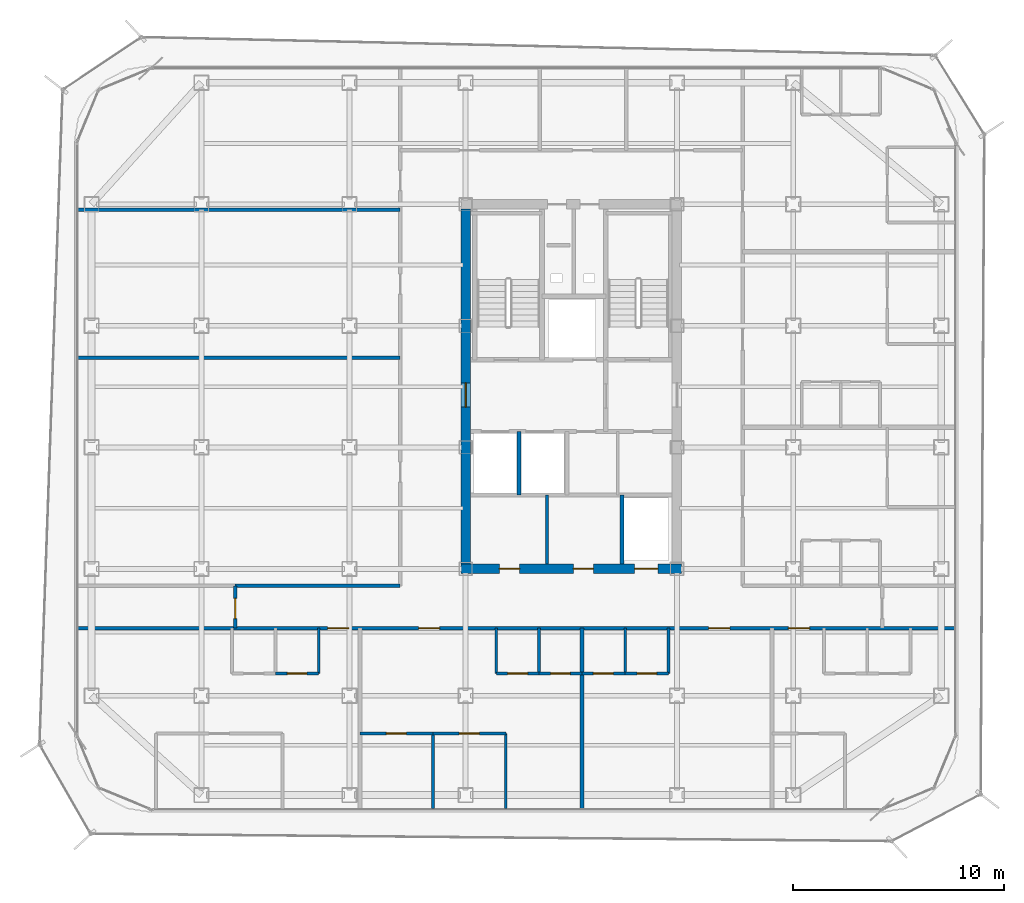
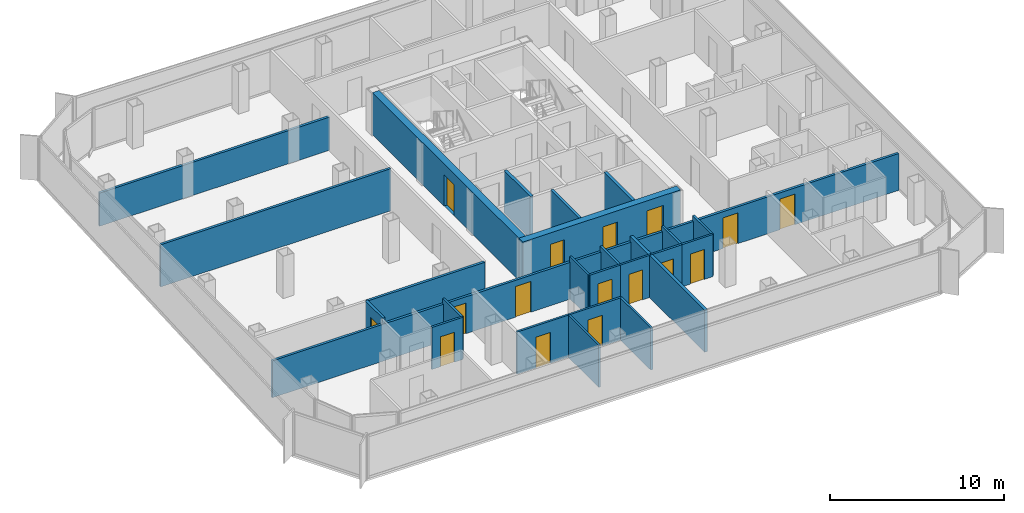
# One storey, part 10 of 16: 25 walls, 16 doors, 16 openings.
"""IFC4 building model written with IfcOpenShell, lengths in metres."""

from ifc_helpers import new_model, si_unit, direction, frame, frame_2d, origin, place, context, subcontext, project, spatial, rectangle, extrude, material, layer, layer_set, type_object, element, fill, save


model = new_model("IFC4")

# Units and contexts
model_context = context("Model", 3, precision=1e-05, world=origin(), true_north=direction((0.0, 1.0)))
body_context = subcontext(model_context, "Body", "Model", "MODEL_VIEW")
ifc_project = project(units=[si_unit("LENGTHUNIT", "METRE"), si_unit("AREAUNIT", "SQUARE_METRE"), si_unit("VOLUMEUNIT", "CUBIC_METRE"), si_unit("PLANEANGLEUNIT", "RADIAN"), si_unit("MASSUNIT", "GRAM", prefix="KILO")], contexts=[model_context])

# Site, building, storey
site_placement = place(None, origin())
site = spatial("IfcSite", under=ifc_project, at=site_placement, CompositionType="ELEMENT")
building_placement = place(site_placement, origin())
building = spatial("IfcBuilding", under=site, at=building_placement, Name="Kolveth Station Tower", CompositionType="ELEMENT")
storey_placement = place(building_placement, frame((0.0, 0.0, 178.5)))
storey = spatial("IfcBuildingStorey", under=building, at=storey_placement, Name="L50", CompositionType="ELEMENT", Elevation=178.5)

# Wall, openings, doors
ifc_material_1 = material(Name="Concrete C50/60", Category="concrete")
ifc_layer_1 = layer(ifc_material_1, 0.449951171875)
ifc_layer_set_1 = layer_set([ifc_layer_1], Name="Concrete C50/60")
wall_type_1 = type_object("IfcWallType", Name="Wall_CW-450", PredefinedType="SHEAR", material=ifc_layer_set_1)
wall_1_placement = place(storey_placement, frame((18.27490234375, 11.5, 0.0), z_axis=(0.0, 0.0, 1.0), x_axis=(1.0, 0.0, 0.0)))
wall_1 = element("IfcWall", 1, at=wall_1_placement, inside=storey, type_object=wall_type_1, Name="L50 Core RC Shear Wall S", PredefinedType="SHEAR", context=body_context, shape_type="SweptSolid", body=[
    extrude(rectangle(XDim=10.4501953125, YDim=0.449951171875, at=frame_2d((5.22509765625, 0.0))), origin(), (0.0, 0.0, 1.0), 2.949951171875),
])
opening_1_placement = place(wall_1_placement, frame((1.824951171875, 0.0, 0.0)))
opening_1 = element("IfcOpeningElement", 2, at=opening_1_placement, cuts=wall_1, Name="Opening ID1", PredefinedType="OPENING", context=body_context, shape_type="SweptSolid", body=[
    extrude(rectangle(XDim=0.949951171875, YDim=2.14990234375, at=frame_2d((0.47509765625, 1.074951171875))), frame((0.0, 0.23486328125, 0.0), z_axis=(0.0, -1.0, 0.0), x_axis=(1.0, 0.0, 0.0)), (0.0, 0.0, 1.0), 0.469970703125),
])
opening_2_placement = place(wall_1_placement, frame((5.324951171875, 0.0, 0.0)))
opening_2 = element("IfcOpeningElement", 3, at=opening_2_placement, cuts=wall_1, Name="Opening ID1", PredefinedType="OPENING", context=body_context, shape_type="SweptSolid", body=[
    extrude(rectangle(XDim=0.949951171875, YDim=2.14990234375, at=frame_2d((0.47509765625, 1.074951171875))), frame((0.0, 0.23486328125, 0.0), z_axis=(0.0, -1.0, 0.0), x_axis=(1.0, 0.0, 0.0)), (0.0, 0.0, 1.0), 0.469970703125),
])
opening_3_placement = place(wall_1_placement, frame((8.22509765625, 0.0, 0.0)))
opening_3 = element("IfcOpeningElement", 4, at=opening_3_placement, cuts=wall_1, Name="Opening LD1", PredefinedType="OPENING", context=body_context, shape_type="SweptSolid", body=[
    extrude(rectangle(XDim=1.10009765625, YDim=2.25, at=frame_2d((0.550048828125, 1.125))), frame((0.0, 0.23486328125, 0.0), z_axis=(0.0, -1.0, 0.0), x_axis=(1.0, 0.0, 0.0)), (0.0, 0.0, 1.0), 0.469970703125),
])
ifc_material_2 = material(Name="Acoustic hardwood leaf and aluminium frame", Category="wood")
door_type_1 = type_object("IfcDoorType", Name="Door_ID1", OperationType="NOTDEFINED", PredefinedType="DOOR", material=ifc_material_2)
door_1_placement = place(opening_1_placement, frame((0.949951171875, 0.0, 0.0), z_axis=(0.0, 0.0, 1.0), x_axis=(-1.0, 0.0, 0.0)))
door_1 = element("IfcDoor", 5, at=door_1_placement, inside=storey, type_object=door_type_1, Name="L50 Laundry Room Door", OperationType="SINGLE_SWING_LEFT", OverallHeight=2.14990234375, OverallWidth=0.949951171875, PredefinedType="DOOR", context=body_context, shape_type="SweptSolid", body=[
    extrude(rectangle(XDim=0.949951171875, YDim=2.14990234375, at=frame_2d((0.47509765625, 1.074951171875))), frame((0.0, 0.02490234375, 0.0), z_axis=(0.0, -1.0, 0.0), x_axis=(1.0, 0.0, 0.0)), (0.0, 0.0, 1.0), 0.050048828125),
])
fill(opening_1, door_1)
door_2_placement = place(opening_2_placement, frame((0.949951171875, 0.0, 0.0), z_axis=(0.0, 0.0, 1.0), x_axis=(-1.0, 0.0, 0.0)))
door_2 = element("IfcDoor", 6, at=door_2_placement, inside=storey, type_object=door_type_1, Name="L50 Parcel Room Door", OperationType="SINGLE_SWING_RIGHT", OverallHeight=2.14990234375, OverallWidth=0.949951171875, PredefinedType="DOOR", context=body_context, shape_type="SweptSolid", body=[
    extrude(rectangle(XDim=0.949951171875, YDim=2.14990234375, at=frame_2d((0.47509765625, 1.074951171875))), frame((0.0, 0.02490234375, 0.0), z_axis=(0.0, -1.0, 0.0), x_axis=(1.0, 0.0, 0.0)), (0.0, 0.0, 1.0), 0.050048828125),
])
fill(opening_2, door_2)
ifc_material_3 = material(Name="Brushed stainless steel sliding landing doors", Category="steel")
door_type_2 = type_object("IfcDoorType", Name="Door_LD1", OperationType="NOTDEFINED", PredefinedType="DOOR", material=ifc_material_3)
door_3_placement = place(opening_3_placement, frame((1.10009765625, 0.0, 0.0), z_axis=(0.0, 0.0, 1.0), x_axis=(-1.0, 0.0, 0.0)))
door_3 = element("IfcDoor", 7, at=door_3_placement, inside=storey, type_object=door_type_2, Name="L50 Lift PH1 Landing Door", OperationType="DOUBLE_DOOR_SLIDING", OverallHeight=2.25, OverallWidth=1.10009765625, PredefinedType="DOOR", context=body_context, shape_type="SweptSolid", body=[
    extrude(rectangle(XDim=1.10009765625, YDim=2.25, at=frame_2d((0.550048828125, 1.125))), frame((0.0, 0.02490234375, 0.0), z_axis=(0.0, -1.0, 0.0), x_axis=(1.0, 0.0, 0.0)), (0.0, 0.0, 1.0), 0.050048828125),
])
fill(opening_3, door_3)

# Wall, opening, door
wall_2_placement = place(storey_placement, frame((18.5, 11.72509765625, 0.0), z_axis=(0.0, 0.0, 1.0), x_axis=(0.0, 1.0, 0.0)))
wall_2 = element("IfcWall", 8, at=wall_2_placement, inside=storey, type_object=wall_type_1, Name="L50 Core RC Shear Wall W", PredefinedType="SHEAR", context=body_context, shape_type="SweptSolid", body=[
    extrude(rectangle(XDim=16.7998046875, YDim=0.449951171875, at=frame_2d((8.39990234375, 0.0))), origin(), (0.0, 0.0, 1.0), 2.949951171875),
])
opening_4_placement = place(wall_2_placement, frame((7.425048828125, 0.0, 0.0)))
opening_4 = element("IfcOpeningElement", 9, at=opening_4_placement, cuts=wall_2, Name="Opening FD1", PredefinedType="OPENING", context=body_context, shape_type="SweptSolid", body=[
    extrude(rectangle(XDim=1.14990234375, YDim=2.199951171875, at=frame_2d((0.574951171875, 1.10009765625))), frame((0.0, 0.23486328125, 0.0), z_axis=(0.0, -1.0, 0.0), x_axis=(1.0, 0.0, 0.0)), (0.0, 0.0, 1.0), 0.469970703125),
])
ifc_material_4 = material(Name="Fire-rated Steel S355 leaf and frame", Category="steel")
door_type_3 = type_object("IfcDoorType", Name="Door_FD1", OperationType="NOTDEFINED", PredefinedType="DOOR", material=ifc_material_4)
door_4_placement = place(opening_4_placement, frame((1.14990234375, 0.0, 0.0), z_axis=(0.0, 0.0, 1.0), x_axis=(-1.0, 0.0, 0.0)))
door_4 = element("IfcDoor", 10, at=door_4_placement, inside=storey, type_object=door_type_3, Name="L50 West Corridor to Firefighting Lobby Door", OperationType="SINGLE_SWING_LEFT", OverallHeight=2.199951171875, OverallWidth=1.14990234375, PredefinedType="DOOR", context=body_context, shape_type="SweptSolid", body=[
    extrude(rectangle(XDim=1.14990234375, YDim=2.199951171875, at=frame_2d((0.574951171875, 1.10009765625))), frame((0.0, 0.02490234375, 0.0), z_axis=(0.0, -1.0, 0.0), x_axis=(1.0, 0.0, 0.0)), (0.0, 0.0, 1.0), 0.050048828125),
])
fill(opening_4, door_4)

ifc_material_5 = material(Name="Moisture-resistant gypsum partition")
ifc_layer_2 = layer(ifc_material_5, 0.135009765625)
ifc_layer_set_2 = layer_set([ifc_layer_2], Name="Moisture-resistant gypsum partition")
wall_type_2 = type_object("IfcWallType", Name="Wall_IW-135", PredefinedType="PARTITIONING", material=ifc_layer_set_2)
wall_3_placement = place(storey_placement, frame((9.5, 6.550048828125, 0.0), z_axis=(0.0, 0.0, 1.0), x_axis=(1.0, 0.0, 0.0)))
wall_3 = element("IfcWall", 11, at=wall_3_placement, inside=storey, type_object=wall_type_2, Name="L50 Partition Wall WL-L50-A1-IBHB", PredefinedType="PARTITIONING", context=body_context, shape_type="SweptSolid", body=[
    extrude(rectangle(XDim=2.050048828125, YDim=0.135009765625, at=frame_2d((1.02490234375, 0.0))), origin(), (0.0, 0.0, 1.0), 2.949951171875),
])
opening_5_placement = place(wall_3_placement, frame((0.56494140625, 0.0, 0.0)))
opening_5 = element("IfcOpeningElement", 12, at=opening_5_placement, cuts=wall_3, Name="Opening ID2", PredefinedType="OPENING", context=body_context, shape_type="SweptSolid", body=[
    extrude(rectangle(XDim=0.919921875, YDim=2.10009765625, at=frame_2d((0.4599609375, 1.050048828125))), frame((0.0, 0.077392578125, 0.0), z_axis=(0.0, -1.0, 0.0), x_axis=(1.0, 0.0, 0.0)), (0.0, 0.0, 1.0), 0.155029296875),
])
ifc_material_6 = material(Name="Moisture-resistant hardwood leaf", Category="wood")
door_type_4 = type_object("IfcDoorType", Name="Door_ID2", OperationType="NOTDEFINED", PredefinedType="DOOR", material=ifc_material_6)
door_5_placement = place(opening_5_placement, origin())
door_5 = element("IfcDoor", 13, at=door_5_placement, inside=storey, type_object=door_type_4, Name="Penthouse Flat L50-A1 Bathroom Door", OperationType="SINGLE_SWING_RIGHT", OverallHeight=2.10009765625, OverallWidth=0.919921875, PredefinedType="DOOR", context=body_context, shape_type="SweptSolid", body=[
    extrude(rectangle(XDim=0.919921875, YDim=2.10009765625, at=frame_2d((0.4599609375, 1.050048828125))), frame((0.0, 0.02490234375, 0.0), z_axis=(0.0, -1.0, 0.0), x_axis=(1.0, 0.0, 0.0)), (0.0, 0.0, 1.0), 0.050048828125),
])
fill(opening_5, door_5)

# Wall
wall_4_placement = place(storey_placement, frame((11.550048828125, 6.550048828125, 0.0), z_axis=(0.0, 0.0, 1.0), x_axis=(0.0, 1.0, 0.0)))
element("IfcWall", 14, at=wall_4_placement, inside=storey, type_object=wall_type_2, Name="L50 Partition Wall WL-L50-A1-IBV2", PredefinedType="PARTITIONING", context=body_context, shape_type="SweptSolid", body=[
    extrude(rectangle(XDim=2.14990234375, YDim=0.135009765625, at=frame_2d((1.074951171875, 0.0))), origin(), (0.0, 0.0, 1.0), 2.949951171875),
])

# Wall, opening, door
wall_5_placement = place(storey_placement, frame((19.949951171875, 6.550048828125, 0.0), z_axis=(0.0, 0.0, 1.0), x_axis=(1.0, 0.0, 0.0)))
wall_5 = element("IfcWall", 15, at=wall_5_placement, inside=storey, type_object=wall_type_2, Name="L50 Partition Wall WL-L50-A2-IBHK", PredefinedType="PARTITIONING", context=body_context, shape_type="SweptSolid", body=[
    extrude(rectangle(XDim=2.025146484375, YDim=0.135009765625, at=frame_2d((1.0126953125, 0.0))), origin(), (0.0, 0.0, 1.0), 2.949951171875),
])
opening_6_placement = place(wall_5_placement, frame((0.531982421875, 0.0, 0.0)))
opening_6 = element("IfcOpeningElement", 16, at=opening_6_placement, cuts=wall_5, Name="Opening ID1", PredefinedType="OPENING", context=body_context, shape_type="SweptSolid", body=[
    extrude(rectangle(XDim=0.949951171875, YDim=2.14990234375, at=frame_2d((0.47509765625, 1.074951171875))), frame((0.0, 0.077392578125, 0.0), z_axis=(0.0, -1.0, 0.0), x_axis=(1.0, 0.0, 0.0)), (0.0, 0.0, 1.0), 0.155029296875),
])
door_6_placement = place(opening_6_placement, origin())
door_6 = element("IfcDoor", 17, at=door_6_placement, inside=storey, type_object=door_type_1, Name="Flat L50-A2 Kitchen Door", OperationType="SINGLE_SWING_LEFT", OverallHeight=2.14990234375, OverallWidth=0.949951171875, PredefinedType="DOOR", context=body_context, shape_type="SweptSolid", body=[
    extrude(rectangle(XDim=0.949951171875, YDim=2.14990234375, at=frame_2d((0.47509765625, 1.074951171875))), frame((0.0, 0.02490234375, 0.0), z_axis=(0.0, -1.0, 0.0), x_axis=(1.0, 0.0, 0.0)), (0.0, 0.0, 1.0), 0.050048828125),
])
fill(opening_6, door_6)

wall_6_placement = place(storey_placement, frame((21.97509765625, 6.550048828125, 0.0), z_axis=(0.0, 0.0, 1.0), x_axis=(1.0, 0.0, 0.0)))
wall_6 = element("IfcWall", 18, at=wall_6_placement, inside=storey, type_object=wall_type_2, Name="L50 Partition Wall WL-L50-A2-IBHB", PredefinedType="PARTITIONING", context=body_context, shape_type="SweptSolid", body=[
    extrude(rectangle(XDim=2.02490234375, YDim=0.135009765625, at=frame_2d((1.012451171875, 0.0))), origin(), (0.0, 0.0, 1.0), 2.949951171875),
])
opening_7_placement = place(wall_6_placement, frame((0.552001953125, 0.0, 0.0)))
opening_7 = element("IfcOpeningElement", 19, at=opening_7_placement, cuts=wall_6, Name="Opening ID2", PredefinedType="OPENING", context=body_context, shape_type="SweptSolid", body=[
    extrude(rectangle(XDim=0.919921875, YDim=2.10009765625, at=frame_2d((0.4599609375, 1.050048828125))), frame((0.0, 0.077392578125, 0.0), z_axis=(0.0, -1.0, 0.0), x_axis=(1.0, 0.0, 0.0)), (0.0, 0.0, 1.0), 0.155029296875),
])
door_7_placement = place(opening_7_placement, origin())
door_7 = element("IfcDoor", 20, at=door_7_placement, inside=storey, type_object=door_type_4, Name="Flat L50-A2 Bathroom Door", OperationType="SINGLE_SWING_LEFT", OverallHeight=2.10009765625, OverallWidth=0.919921875, PredefinedType="DOOR", context=body_context, shape_type="SweptSolid", body=[
    extrude(rectangle(XDim=0.919921875, YDim=2.10009765625, at=frame_2d((0.4599609375, 1.050048828125))), frame((0.0, 0.02490234375, 0.0), z_axis=(0.0, -1.0, 0.0), x_axis=(1.0, 0.0, 0.0)), (0.0, 0.0, 1.0), 0.050048828125),
])
fill(opening_7, door_7)

# Walls
for number, where, z_axis, x_axis, name in (
    (21, (19.949951171875, 6.550048828125, 0.0), (0.0, 0.0, 1.0), (0.0, 1.0, 0.0), "L50 Partition Wall WL-L50-A2-IBV0"),
    (22, (21.97509765625, 6.550048828125, 0.0), (0.0, 0.0, 1.0), (0.0, 1.0, 0.0), "L50 Partition Wall WL-L50-A2-IBV1"),
):
    element("IfcWall", number, at=place(storey_placement, frame(where, z_axis=z_axis, x_axis=x_axis)), inside=storey, type_object=wall_type_2, Name=name, PredefinedType="PARTITIONING", context=body_context, shape_type="SweptSolid", body=[
        extrude(rectangle(XDim=2.14990234375, YDim=0.135009765625, at=frame_2d((1.074951171875, 0.0))), origin(), (0.0, 0.0, 1.0), 2.949951171875),
    ])
wall_7_placement = place(storey_placement, frame((20.39990234375, 0.159912109375, 0.0), z_axis=(0.0, 0.0, 1.0), x_axis=(0.0, 1.0, 0.0)))
element("IfcWall", 23, at=wall_7_placement, inside=storey, type_object=wall_type_2, Name="L50 Partition Wall WL-L50-A2-BDVE", PredefinedType="PARTITIONING", context=body_context, shape_type="SweptSolid", body=[
    extrude(rectangle(XDim=3.550048828125, YDim=0.135009765625, at=frame_2d((1.77490234375, 0.0))), origin(), (0.0, 0.0, 1.0), 2.949951171875),
])

# Wall, opening, door
wall_8_placement = place(storey_placement, frame((13.5, 3.7099609375, 0.0), z_axis=(0.0, 0.0, 1.0), x_axis=(1.0, 0.0, 0.0)))
wall_8 = element("IfcWall", 24, at=wall_8_placement, inside=storey, type_object=wall_type_2, Name="L50 Partition Wall WL-L50-A2-BDH1", PredefinedType="PARTITIONING", context=body_context, shape_type="SweptSolid", body=[
    extrude(rectangle(XDim=3.449951171875, YDim=0.135009765625, at=frame_2d((1.72509765625, 0.0))), origin(), (0.0, 0.0, 1.0), 2.949951171875),
])
opening_8_placement = place(wall_8_placement, frame((1.2451171875, 0.0, 0.0)))
opening_8 = element("IfcOpeningElement", 25, at=opening_8_placement, cuts=wall_8, Name="Opening ID1", PredefinedType="OPENING", context=body_context, shape_type="SweptSolid", body=[
    extrude(rectangle(XDim=0.949951171875, YDim=2.14990234375, at=frame_2d((0.47509765625, 1.074951171875))), frame((0.0, 0.077392578125, 0.0), z_axis=(0.0, -1.0, 0.0), x_axis=(1.0, 0.0, 0.0)), (0.0, 0.0, 1.0), 0.155029296875),
])
door_8_placement = place(opening_8_placement, frame((0.949951171875, 0.0, 0.0), z_axis=(0.0, 0.0, 1.0), x_axis=(-1.0, 0.0, 0.0)))
door_8 = element("IfcDoor", 26, at=door_8_placement, inside=storey, type_object=door_type_1, Name="Flat L50-A2 Bedroom 1 Door", OperationType="SINGLE_SWING_LEFT", OverallHeight=2.14990234375, OverallWidth=0.949951171875, PredefinedType="DOOR", context=body_context, shape_type="SweptSolid", body=[
    extrude(rectangle(XDim=0.949951171875, YDim=2.14990234375, at=frame_2d((0.47509765625, 1.074951171875))), frame((0.0, 0.02490234375, 0.0), z_axis=(0.0, -1.0, 0.0), x_axis=(1.0, 0.0, 0.0)), (0.0, 0.0, 1.0), 0.050048828125),
])
fill(opening_8, door_8)

wall_9_placement = place(storey_placement, frame((16.949951171875, 3.7099609375, 0.0), z_axis=(0.0, 0.0, 1.0), x_axis=(1.0, 0.0, 0.0)))
wall_9 = element("IfcWall", 27, at=wall_9_placement, inside=storey, type_object=wall_type_2, Name="L50 Partition Wall WL-L50-A2-BDH2", PredefinedType="PARTITIONING", context=body_context, shape_type="SweptSolid", body=[
    extrude(rectangle(XDim=3.449951171875, YDim=0.135009765625, at=frame_2d((1.72509765625, 0.0))), origin(), (0.0, 0.0, 1.0), 2.949951171875),
])
opening_9_placement = place(wall_9_placement, frame((1.2451171875, 0.0, 0.0)))
opening_9 = element("IfcOpeningElement", 28, at=opening_9_placement, cuts=wall_9, Name="Opening ID1", PredefinedType="OPENING", context=body_context, shape_type="SweptSolid", body=[
    extrude(rectangle(XDim=0.949951171875, YDim=2.14990234375, at=frame_2d((0.47509765625, 1.074951171875))), frame((0.0, 0.077392578125, 0.0), z_axis=(0.0, -1.0, 0.0), x_axis=(1.0, 0.0, 0.0)), (0.0, 0.0, 1.0), 0.155029296875),
])
door_9_placement = place(opening_9_placement, frame((0.949951171875, 0.0, 0.0), z_axis=(0.0, 0.0, 1.0), x_axis=(-1.0, 0.0, 0.0)))
door_9 = element("IfcDoor", 29, at=door_9_placement, inside=storey, type_object=door_type_1, Name="Flat L50-A2 Bedroom 2 Door", OperationType="SINGLE_SWING_RIGHT", OverallHeight=2.14990234375, OverallWidth=0.949951171875, PredefinedType="DOOR", context=body_context, shape_type="SweptSolid", body=[
    extrude(rectangle(XDim=0.949951171875, YDim=2.14990234375, at=frame_2d((0.47509765625, 1.074951171875))), frame((0.0, 0.02490234375, 0.0), z_axis=(0.0, -1.0, 0.0), x_axis=(1.0, 0.0, 0.0)), (0.0, 0.0, 1.0), 0.050048828125),
])
fill(opening_9, door_9)

# Wall
wall_10_placement = place(storey_placement, frame((16.949951171875, 0.159912109375, 0.0), z_axis=(0.0, 0.0, 1.0), x_axis=(0.0, 1.0, 0.0)))
element("IfcWall", 30, at=wall_10_placement, inside=storey, type_object=wall_type_2, Name="L50 Partition Wall WL-L50-A2-BDV1", PredefinedType="PARTITIONING", context=body_context, shape_type="SweptSolid", body=[
    extrude(rectangle(XDim=3.550048828125, YDim=0.135009765625, at=frame_2d((1.77490234375, 0.0))), origin(), (0.0, 0.0, 1.0), 2.949951171875),
])

# Wall, opening, door
wall_11_placement = place(storey_placement, frame((24.0, 6.550048828125, 0.0), z_axis=(0.0, 0.0, 1.0), x_axis=(1.0, 0.0, 0.0)))
wall_11 = element("IfcWall", 31, at=wall_11_placement, inside=storey, type_object=wall_type_2, Name="L50 Partition Wall WL-L50-A3-IBHK", PredefinedType="PARTITIONING", context=body_context, shape_type="SweptSolid", body=[
    extrude(rectangle(XDim=2.050048828125, YDim=0.135009765625, at=frame_2d((1.02490234375, 0.0))), origin(), (0.0, 0.0, 1.0), 2.949951171875),
])
opening_10_placement = place(wall_11_placement, frame((0.544921875, 0.0, 0.0)))
opening_10 = element("IfcOpeningElement", 32, at=opening_10_placement, cuts=wall_11, Name="Opening ID1", PredefinedType="OPENING", context=body_context, shape_type="SweptSolid", body=[
    extrude(rectangle(XDim=0.949951171875, YDim=2.14990234375, at=frame_2d((0.47509765625, 1.074951171875))), frame((0.0, 0.077392578125, 0.0), z_axis=(0.0, -1.0, 0.0), x_axis=(1.0, 0.0, 0.0)), (0.0, 0.0, 1.0), 0.155029296875),
])
door_10_placement = place(opening_10_placement, origin())
door_10 = element("IfcDoor", 33, at=door_10_placement, inside=storey, type_object=door_type_1, Name="Flat L50-A3 Kitchen Door", OperationType="SINGLE_SWING_RIGHT", OverallHeight=2.14990234375, OverallWidth=0.949951171875, PredefinedType="DOOR", context=body_context, shape_type="SweptSolid", body=[
    extrude(rectangle(XDim=0.949951171875, YDim=2.14990234375, at=frame_2d((0.47509765625, 1.074951171875))), frame((0.0, 0.02490234375, 0.0), z_axis=(0.0, -1.0, 0.0), x_axis=(1.0, 0.0, 0.0)), (0.0, 0.0, 1.0), 0.050048828125),
])
fill(opening_10, door_10)

wall_12_placement = place(storey_placement, frame((26.050048828125, 6.550048828125, 0.0), z_axis=(0.0, 0.0, 1.0), x_axis=(1.0, 0.0, 0.0)))
wall_12 = element("IfcWall", 34, at=wall_12_placement, inside=storey, type_object=wall_type_2, Name="L50 Partition Wall WL-L50-A3-IBHB", PredefinedType="PARTITIONING", context=body_context, shape_type="SweptSolid", body=[
    extrude(rectangle(XDim=2.050048828125, YDim=0.135009765625, at=frame_2d((1.02490234375, 0.0))), origin(), (0.0, 0.0, 1.0), 2.949951171875),
])
opening_11_placement = place(wall_12_placement, frame((0.56494140625, 0.0, 0.0)))
opening_11 = element("IfcOpeningElement", 35, at=opening_11_placement, cuts=wall_12, Name="Opening ID2", PredefinedType="OPENING", context=body_context, shape_type="SweptSolid", body=[
    extrude(rectangle(XDim=0.919921875, YDim=2.10009765625, at=frame_2d((0.4599609375, 1.050048828125))), frame((0.0, 0.077392578125, 0.0), z_axis=(0.0, -1.0, 0.0), x_axis=(1.0, 0.0, 0.0)), (0.0, 0.0, 1.0), 0.155029296875),
])
door_11_placement = place(opening_11_placement, origin())
door_11 = element("IfcDoor", 36, at=door_11_placement, inside=storey, type_object=door_type_4, Name="Flat L50-A3 Bathroom Door", OperationType="SINGLE_SWING_LEFT", OverallHeight=2.10009765625, OverallWidth=0.919921875, PredefinedType="DOOR", context=body_context, shape_type="SweptSolid", body=[
    extrude(rectangle(XDim=0.919921875, YDim=2.10009765625, at=frame_2d((0.4599609375, 1.050048828125))), frame((0.0, 0.02490234375, 0.0), z_axis=(0.0, -1.0, 0.0), x_axis=(1.0, 0.0, 0.0)), (0.0, 0.0, 1.0), 0.050048828125),
])
fill(opening_11, door_11)

# Walls
for number, where, z_axis, x_axis, name in (
    (37, (26.050048828125, 6.550048828125, 0.0), (0.0, 0.0, 1.0), (0.0, 1.0, 0.0), "L50 Partition Wall WL-L50-A3-IBV1"),
    (38, (28.10009765625, 6.550048828125, 0.0), (0.0, 0.0, 1.0), (0.0, 1.0, 0.0), "L50 Partition Wall WL-L50-A3-IBV2"),
):
    element("IfcWall", number, at=place(storey_placement, frame(where, z_axis=z_axis, x_axis=x_axis)), inside=storey, type_object=wall_type_2, Name=name, PredefinedType="PARTITIONING", context=body_context, shape_type="SweptSolid", body=[
        extrude(rectangle(XDim=2.14990234375, YDim=0.135009765625, at=frame_2d((1.074951171875, 0.0))), origin(), (0.0, 0.0, 1.0), 2.949951171875),
    ])
ifc_material_7 = material(Name="Acoustic double-stud gypsum partition")
ifc_layer_3 = layer(ifc_material_7, 0.1650390625)
ifc_layer_set_3 = layer_set([ifc_layer_3], Name="Acoustic double-stud gypsum partition")
wall_type_3 = type_object("IfcWallType", Name="Wall_IW-165", PredefinedType="PARTITIONING", material=ifc_layer_set_3)
wall_13_placement = place(storey_placement, frame((22.35009765625, 11.735107421875, 0.0), z_axis=(0.0, 0.0, 1.0), x_axis=(0.0, 1.0, 0.0)))
element("IfcWall", 39, at=wall_13_placement, inside=storey, type_object=wall_type_3, Name="L50 Partition Wall WL-L50-FR-M", PredefinedType="PARTITIONING", context=body_context, shape_type="SweptSolid", body=[
    extrude(rectangle(XDim=3.264892578125, YDim=0.1650390625, at=frame_2d((1.63232421875, 0.0))), origin(), (0.0, 0.0, 1.0), 2.949951171875),
])

# Wall, openings, doors
wall_14_placement = place(storey_placement, frame((0.159912109375, 8.699951171875, 0.0), z_axis=(0.0, 0.0, 1.0), x_axis=(1.0, 0.0, 0.0)))
wall_14 = element("IfcWall", 40, at=wall_14_placement, inside=storey, type_object=wall_type_3, Name="L50 Partition Wall WL-L50-RS", PredefinedType="PARTITIONING", context=body_context, shape_type="SweptSolid", body=[
    extrude(rectangle(XDim=41.47998046875, YDim=0.1650390625, at=frame_2d((20.739990234375, 0.0))), origin(), (0.0, 0.0, 1.0), 2.5830078125),
])
opening_12_placement = place(wall_14_placement, frame((11.81494140625, 0.0, 0.0)))
opening_12 = element("IfcOpeningElement", 41, at=opening_12_placement, cuts=wall_14, Name="Opening FD3", PredefinedType="OPENING", context=body_context, shape_type="SweptSolid", body=[
    extrude(rectangle(XDim=1.0, YDim=2.14990234375, at=frame_2d((0.5, 1.074951171875))), frame((0.0, 0.092529296875, 0.0), z_axis=(0.0, -1.0, 0.0), x_axis=(1.0, 0.0, 0.0)), (0.0, 0.0, 1.0), 0.18505859375),
])
opening_13_placement = place(wall_14_placement, frame((16.114990234375, 0.0, 0.0)))
opening_13 = element("IfcOpeningElement", 42, at=opening_13_placement, cuts=wall_14, Name="Opening FD3", PredefinedType="OPENING", context=body_context, shape_type="SweptSolid", body=[
    extrude(rectangle(XDim=1.0, YDim=2.14990234375, at=frame_2d((0.5, 1.074951171875))), frame((0.0, 0.092529296875, 0.0), z_axis=(0.0, -1.0, 0.0), x_axis=(1.0, 0.0, 0.0)), (0.0, 0.0, 1.0), 0.18505859375),
])
opening_14_placement = place(wall_14_placement, frame((29.840087890625, 0.0, 0.0)))
opening_14 = element("IfcOpeningElement", 43, at=opening_14_placement, cuts=wall_14, Name="Opening FD3", PredefinedType="OPENING", context=body_context, shape_type="SweptSolid", body=[
    extrude(rectangle(XDim=1.0, YDim=2.14990234375, at=frame_2d((0.5, 1.074951171875))), frame((0.0, 0.092529296875, 0.0), z_axis=(0.0, -1.0, 0.0), x_axis=(1.0, 0.0, 0.0)), (0.0, 0.0, 1.0), 0.18505859375),
])
opening_15_placement = place(wall_14_placement, frame((33.614990234375, 0.0, 0.0)))
opening_15 = element("IfcOpeningElement", 44, at=opening_15_placement, cuts=wall_14, Name="Opening FD3", PredefinedType="OPENING", context=body_context, shape_type="SweptSolid", body=[
    extrude(rectangle(XDim=1.0, YDim=2.14990234375, at=frame_2d((0.5, 1.074951171875))), frame((0.0, 0.092529296875, 0.0), z_axis=(0.0, -1.0, 0.0), x_axis=(1.0, 0.0, 0.0)), (0.0, 0.0, 1.0), 0.18505859375),
])
ifc_material_8 = material(Name="Fire-rated hardwood leaf and aluminium frame", Category="wood")
door_type_5 = type_object("IfcDoorType", Name="Door_FD3", OperationType="NOTDEFINED", PredefinedType="DOOR", material=ifc_material_8)
door_12_placement = place(opening_12_placement, frame((1.0, 0.0, 0.0), z_axis=(0.0, 0.0, 1.0), x_axis=(-1.0, 0.0, 0.0)))
door_12 = element("IfcDoor", 45, at=door_12_placement, inside=storey, type_object=door_type_5, Name="Penthouse Flat L50-A1 Entrance Door", OperationType="SINGLE_SWING_RIGHT", OverallHeight=2.14990234375, OverallWidth=1.0, PredefinedType="DOOR", context=body_context, shape_type="SweptSolid", body=[
    extrude(rectangle(XDim=1.0, YDim=2.14990234375, at=frame_2d((0.5, 1.074951171875))), frame((0.0, 0.02490234375, 0.0), z_axis=(0.0, -1.0, 0.0), x_axis=(1.0, 0.0, 0.0)), (0.0, 0.0, 1.0), 0.050048828125),
])
fill(opening_12, door_12)
door_13_placement = place(opening_13_placement, frame((1.0, 0.0, 0.0), z_axis=(0.0, 0.0, 1.0), x_axis=(-1.0, 0.0, 0.0)))
door_13 = element("IfcDoor", 46, at=door_13_placement, inside=storey, type_object=door_type_5, Name="Flat L50-A2 Entrance Door", OperationType="SINGLE_SWING_LEFT", OverallHeight=2.14990234375, OverallWidth=1.0, PredefinedType="DOOR", context=body_context, shape_type="SweptSolid", body=[
    extrude(rectangle(XDim=1.0, YDim=2.14990234375, at=frame_2d((0.5, 1.074951171875))), frame((0.0, 0.02490234375, 0.0), z_axis=(0.0, -1.0, 0.0), x_axis=(1.0, 0.0, 0.0)), (0.0, 0.0, 1.0), 0.050048828125),
])
fill(opening_13, door_13)
door_14_placement = place(opening_14_placement, frame((1.0, 0.0, 0.0), z_axis=(0.0, 0.0, 1.0), x_axis=(-1.0, 0.0, 0.0)))
door_14 = element("IfcDoor", 47, at=door_14_placement, inside=storey, type_object=door_type_5, Name="Flat L50-A3 Entrance Door", OperationType="SINGLE_SWING_RIGHT", OverallHeight=2.14990234375, OverallWidth=1.0, PredefinedType="DOOR", context=body_context, shape_type="SweptSolid", body=[
    extrude(rectangle(XDim=1.0, YDim=2.14990234375, at=frame_2d((0.5, 1.074951171875))), frame((0.0, 0.02490234375, 0.0), z_axis=(0.0, -1.0, 0.0), x_axis=(1.0, 0.0, 0.0)), (0.0, 0.0, 1.0), 0.050048828125),
])
fill(opening_14, door_14)
door_15_placement = place(opening_15_placement, frame((1.0, 0.0, 0.0), z_axis=(0.0, 0.0, 1.0), x_axis=(-1.0, 0.0, 0.0)))
door_15 = element("IfcDoor", 48, at=door_15_placement, inside=storey, type_object=door_type_5, Name="Flat L50-A4 Entrance Door", OperationType="SINGLE_SWING_LEFT", OverallHeight=2.14990234375, OverallWidth=1.0, PredefinedType="DOOR", context=body_context, shape_type="SweptSolid", body=[
    extrude(rectangle(XDim=1.0, YDim=2.14990234375, at=frame_2d((0.5, 1.074951171875))), frame((0.0, 0.02490234375, 0.0), z_axis=(0.0, -1.0, 0.0), x_axis=(1.0, 0.0, 0.0)), (0.0, 0.0, 1.0), 0.050048828125),
])
fill(opening_15, door_15)

# Wall
wall_15_placement = place(storey_placement, frame((7.60009765625, 10.699951171875, 0.0), z_axis=(0.0, 0.0, 1.0), x_axis=(1.0, 0.0, 0.0)))
element("IfcWall", 49, at=wall_15_placement, inside=storey, type_object=wall_type_3, Name="L50 Partition Wall WL-L50-RSWT", PredefinedType="PARTITIONING", context=body_context, shape_type="SweptSolid", body=[
    extrude(rectangle(XDim=7.7998046875, YDim=0.1650390625, at=frame_2d((3.89990234375, 0.0))), origin(), (0.0, 0.0, 1.0), 2.949951171875),
])

# Wall, opening, door
wall_16_placement = place(storey_placement, frame((7.60009765625, 8.699951171875, 0.0), z_axis=(0.0, 0.0, 1.0), x_axis=(0.0, 1.0, 0.0)))
wall_16 = element("IfcWall", 50, at=wall_16_placement, inside=storey, type_object=wall_type_3, Name="L50 Partition Wall WL-L50-RSWE", PredefinedType="PARTITIONING", context=body_context, shape_type="SweptSolid", body=[
    extrude(rectangle(XDim=2.0, YDim=0.1650390625, at=frame_2d((1.0, 0.0))), origin(), (0.0, 0.0, 1.0), 2.949951171875),
])
opening_16_placement = place(wall_16_placement, frame((0.449951171875, 0.0, 0.0)))
opening_16 = element("IfcOpeningElement", 51, at=opening_16_placement, cuts=wall_16, Name="Opening ID1", PredefinedType="OPENING", context=body_context, shape_type="SweptSolid", body=[
    extrude(rectangle(XDim=0.949951171875, YDim=2.14990234375, at=frame_2d((0.47509765625, 1.074951171875))), frame((0.0, 0.092529296875, 0.0), z_axis=(0.0, -1.0, 0.0), x_axis=(1.0, 0.0, 0.0)), (0.0, 0.0, 1.0), 0.18505859375),
])
door_16_placement = place(opening_16_placement, frame((0.949951171875, 0.0, 0.0), z_axis=(0.0, 0.0, 1.0), x_axis=(-1.0, 0.0, 0.0)))
door_16 = element("IfcDoor", 52, at=door_16_placement, inside=storey, type_object=door_type_1, Name="L50 West Store Door", OperationType="SINGLE_SWING_LEFT", OverallHeight=2.14990234375, OverallWidth=0.949951171875, PredefinedType="DOOR", context=body_context, shape_type="SweptSolid", body=[
    extrude(rectangle(XDim=0.949951171875, YDim=2.14990234375, at=frame_2d((0.47509765625, 1.074951171875))), frame((0.0, 0.02490234375, 0.0), z_axis=(0.0, -1.0, 0.0), x_axis=(1.0, 0.0, 0.0)), (0.0, 0.0, 1.0), 0.050048828125),
])
fill(opening_16, door_16)

# Walls
wall_17_placement = place(storey_placement, frame((0.159912109375, 21.5, 0.0), z_axis=(0.0, 0.0, 1.0), x_axis=(1.0, 0.0, 0.0)))
element("IfcWall", 53, at=wall_17_placement, inside=storey, type_object=wall_type_3, Name="L50 Partition Wall WL-L50-RWA-P1", PredefinedType="PARTITIONING", context=body_context, shape_type="SweptSolid", body=[
    extrude(rectangle(XDim=15.239990234375, YDim=0.1650390625, at=frame_2d((7.6201171875, 0.0))), origin(), (0.0, 0.0, 1.0), 2.949951171875),
])
wall_18_placement = place(storey_placement, frame((0.159912109375, 28.5, 0.0), z_axis=(0.0, 0.0, 1.0), x_axis=(1.0, 0.0, 0.0)))
element("IfcWall", 54, at=wall_18_placement, inside=storey, type_object=wall_type_3, Name="L50 Partition Wall WL-L50-RWA-P2", PredefinedType="PARTITIONING", context=body_context, shape_type="SweptSolid", body=[
    extrude(rectangle(XDim=15.239990234375, YDim=0.1650390625, at=frame_2d((7.6201171875, 0.0))), origin(), (0.0, 0.0, 1.0), 2.322998046875),
])
ifc_material_9 = material(Name="Acoustic fire-rated gypsum blockwork", Category="masonry")
ifc_layer_4 = layer(ifc_material_9, 0.199951171875)
ifc_layer_set_4 = layer_set([ifc_layer_4], Name="Acoustic fire-rated gypsum blockwork")
wall_type_4 = type_object("IfcWallType", Name="Wall_IW-200", PredefinedType="PARTITIONING", material=ifc_layer_set_4)
wall_19_placement = place(storey_placement, frame((21.02001953125, 15.0, 0.0), z_axis=(0.0, 0.0, 1.0), x_axis=(0.0, 1.0, 0.0)))
element("IfcWall", 55, at=wall_19_placement, inside=storey, type_object=wall_type_4, Name="L50 Partition Wall WL-L50-FF12", PredefinedType="PARTITIONING", context=body_context, shape_type="SweptSolid", body=[
    extrude(rectangle(XDim=3.0, YDim=0.199951171875, at=frame_2d((1.5, 0.0))), origin(), (0.0, 0.0, 1.0), 2.949951171875),
])
wall_20_placement = place(storey_placement, frame((25.89990234375, 11.735107421875, 0.0), z_axis=(0.0, 0.0, 1.0), x_axis=(0.0, 1.0, 0.0)))
element("IfcWall", 56, at=wall_20_placement, inside=storey, type_object=wall_type_4, Name="L50 Partition Wall WL-L50-PMPH", PredefinedType="PARTITIONING", context=body_context, shape_type="SweptSolid", body=[
    extrude(rectangle(XDim=3.264892578125, YDim=0.199951171875, at=frame_2d((1.63232421875, 0.0))), origin(), (0.0, 0.0, 1.0), 2.949951171875),
])
wall_21_placement = place(storey_placement, frame((24.0, 0.159912109375, 0.0), z_axis=(0.0, 0.0, 1.0), x_axis=(0.0, 1.0, 0.0)))
element("IfcWall", 57, at=wall_21_placement, inside=storey, type_object=wall_type_4, Name="L50 Partition Wall WL-L50-RSU-2", PredefinedType="PARTITIONING", context=body_context, shape_type="SweptSolid", body=[
    extrude(rectangle(XDim=8.5400390625, YDim=0.199951171875, at=frame_2d((4.27001953125, 0.0))), origin(), (0.0, 0.0, 1.0), 2.949951171875),
])

save(model, "model.ifc")
